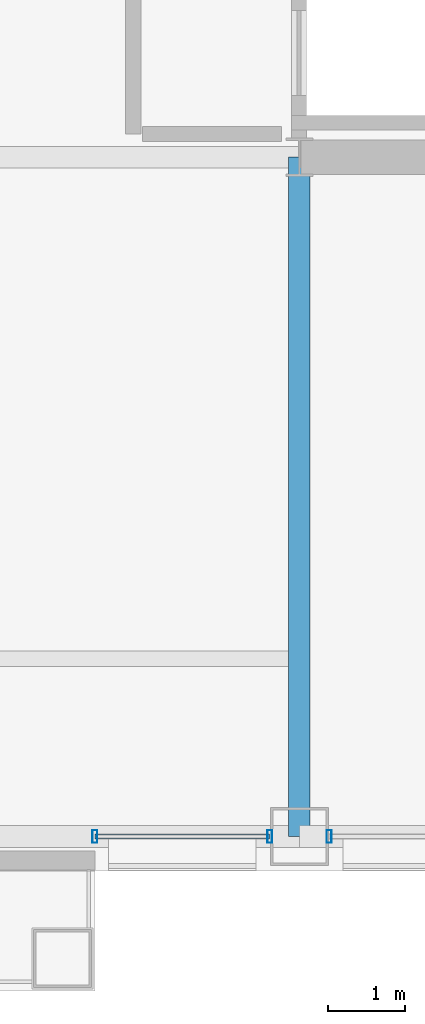
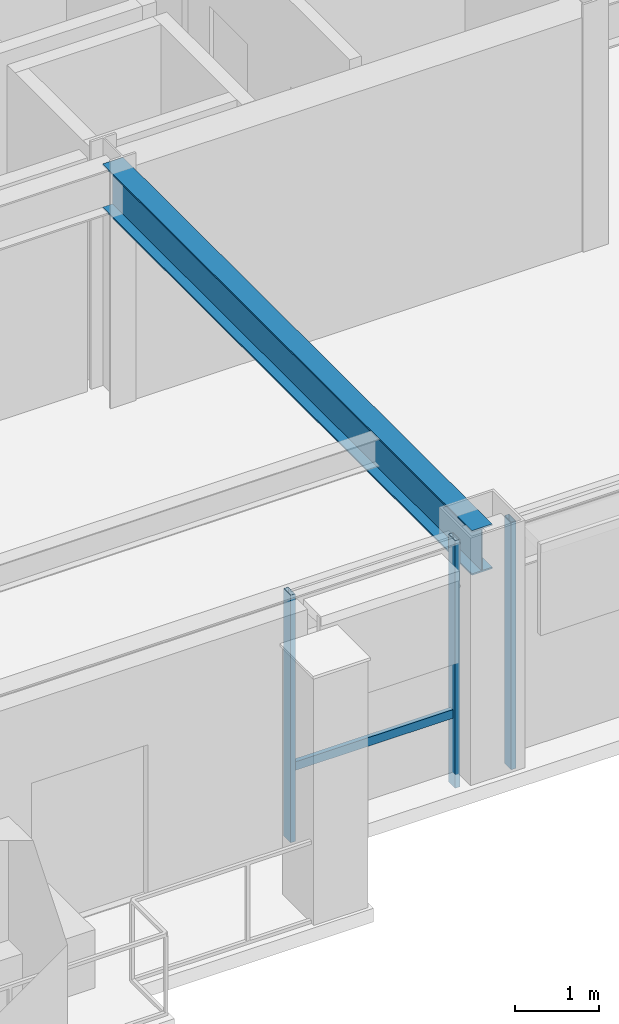
# One storey, part 7 of 30: 4 members, 1 beam, 2 elements without a shape of their own.
"""IFC4 building model written with IfcOpenShell, lengths in metres."""

import ifcopenshell
import ifcopenshell.guid

model = None  # the IFC model being written
_history = None  # IfcOwnerHistory: only IFC2X3 demands one
_inside = {}  # id of a spatial element -> (the spatial element, [elements in it])
_under = {}  # id of a project, library or spatial element -> (it, [spatial elements below it])
_declared = {}  # id of a project -> (the project, [libraries it declares])
_typed = {}  # id of a type object -> (the type object, [elements of that type])
_made_of = {}  # id of a material, layer set ... -> (it, [elements and type objects made of it])


def new_model(schema):
    """Start an empty IFC model of exactly this schema.

    Asked for "IFC4X3", IfcOpenShell would pick the latest addendum, in which some entities
    have other attributes; the version numbers below select the first issue.
    IFC2X3 requires an IfcOwnerHistory on every rooted entity: one is made here for all.
    """
    global model, _history
    if schema == "IFC4X3":
        model = ifcopenshell.file(schema_version=(4, 3, 0, 0))
    else:
        model = ifcopenshell.file(schema=schema)
    _inside.clear()
    _under.clear()
    _declared.clear()
    _typed.clear()
    _made_of.clear()
    _history = None
    if model.schema == "IFC2X3":
        org = make("IfcOrganization", Name="unknown")
        user = make(
            "IfcPersonAndOrganization",
            ThePerson=make("IfcPerson", FamilyName="unknown"),
            TheOrganization=org,
        )
        app = make(
            "IfcApplication",
            ApplicationDeveloper=org,
            Version="unknown",
            ApplicationFullName="unknown",
            ApplicationIdentifier="unknown",
        )
        _history = make(
            "IfcOwnerHistory",
            OwningUser=user,
            OwningApplication=app,
            ChangeAction="ADDED",
            CreationDate=0,
        )
    return model


def make(cls, **values):
    """One entity of the class cls with the attributes given. An attribute that is None is left unset."""
    return model.create_entity(
        cls, **{name: value for name, value in values.items() if value is not None}
    )


def rooted(cls, **values):
    """An entity with a GlobalId (a new one), such as an element, a storey or a relation."""
    return make(cls, GlobalId=ifcopenshell.guid.new(), OwnerHistory=_history, **values)


def si_unit(unit_type, name, prefix=None):
    """IfcSIUnit, for example si_unit("LENGTHUNIT", "METRE", prefix="MILLI")."""
    return make("IfcSIUnit", UnitType=unit_type, Prefix=prefix, Name=name)


def assignment(units):
    """IfcUnitAssignment: the units of a project."""
    return None if units is None else make("IfcUnitAssignment", Units=units)


def point(xyz):
    """IfcCartesianPoint."""
    return None if xyz is None else make("IfcCartesianPoint", Coordinates=xyz)


def direction(xyz):
    """IfcDirection."""
    return None if xyz is None else make("IfcDirection", DirectionRatios=xyz)


def frame(location, z_axis=None, x_axis=None):
    """IfcAxis2Placement3D, a coordinate frame: its origin and axes. An axis left out is left unset."""
    return make(
        "IfcAxis2Placement3D",
        Location=point(location),
        Axis=direction(z_axis),
        RefDirection=direction(x_axis),
    )


def frame_2d(location, x_axis=None):
    """IfcAxis2Placement2D, a coordinate frame in the plane: its origin and x axis."""
    return make(
        "IfcAxis2Placement2D", Location=point(location), RefDirection=direction(x_axis)
    )


def origin():
    """The frame at (0, 0, 0) with its axes left unset."""
    return frame((0.0, 0.0, 0.0))


def origin_2d():
    """The frame at (0, 0) in the plane with its x axis left unset."""
    return frame_2d((0.0, 0.0))


def place(relative_to, where):
    """IfcLocalPlacement: puts the frame where relative to a parent placement (None: the world)."""
    return make(
        "IfcLocalPlacement", PlacementRelTo=relative_to, RelativePlacement=where
    )


def context(
    kind, dimensions, precision=None, world=None, true_north=None, identifier=None
):
    """IfcGeometricRepresentationContext, for example the 3D "Model" context."""
    return make(
        "IfcGeometricRepresentationContext",
        ContextIdentifier=identifier,
        ContextType=kind,
        CoordinateSpaceDimension=dimensions,
        Precision=precision,
        WorldCoordinateSystem=world,
        TrueNorth=true_north,
    )


def subcontext(parent, identifier, kind, view, scale=None):
    """IfcGeometricRepresentationSubContext, for example "Body" below "Model"."""
    return make(
        "IfcGeometricRepresentationSubContext",
        ContextIdentifier=identifier,
        ContextType=kind,
        ParentContext=parent,
        TargetScale=scale,
        TargetView=view,
    )


def project(units=None, contexts=None):
    """IfcProject with its units and contexts."""
    return rooted(
        "IfcProject",
        Name="project",
        RepresentationContexts=contexts,
        UnitsInContext=assignment(units),
    )


def spatial(cls, under=None, at=None, **own):
    """A site, building, storey or space (cls), placed at a placement, below another one or the project."""
    s = rooted(cls, ObjectPlacement=at, **own)
    if under is not None:
        _under.setdefault(under.id(), (under, []))[1].append(s)
    return s


def profile(cls, at=None, kind="AREA", **sizes):
    """A parametric profile (cls). Its sizes go by their IFC names, for example OverallWidth=200.0."""
    return make(cls, ProfileType=kind, Position=at, **sizes)


def hollow_rectangle(**sizes):
    """IfcRectangleHollowProfileDef."""
    return profile("IfcRectangleHollowProfileDef", **sizes)


def i_section(**sizes):
    """IfcIShapeProfileDef."""
    return profile("IfcIShapeProfileDef", **sizes)


def extrude(swept, where, along, depth):
    """IfcExtrudedAreaSolid: the profile swept, set in the frame where, extruded along a direction by depth."""
    return make(
        "IfcExtrudedAreaSolid",
        SweptArea=swept,
        Position=where,
        ExtrudedDirection=direction(along),
        Depth=depth,
    )


def shape(context_of_items, identifier, shape_type, items):
    """IfcShapeRepresentation: the items that make up one representation, for example the "Body"."""
    return make(
        "IfcShapeRepresentation",
        ContextOfItems=context_of_items,
        RepresentationIdentifier=identifier,
        RepresentationType=shape_type,
        Items=items,
    )


def material(Name=None, Category=None):
    """IfcMaterial."""
    return make("IfcMaterial", Name=Name, Category=Category)


def layer(
    of_material, thickness, ventilated=None, Name=None, Category=None, Priority=None
):
    """IfcMaterialLayer: one layer of a wall or slab, of a material (None: an air gap)."""
    return make(
        "IfcMaterialLayer",
        Material=of_material,
        LayerThickness=thickness,
        IsVentilated=ventilated,
        Name=Name,
        Category=Category,
        Priority=Priority,
    )


def layer_set(layers, Name=None):
    """IfcMaterialLayerSet."""
    return make("IfcMaterialLayerSet", MaterialLayers=layers, LayerSetName=Name)


def material_profile(
    of_material, cross_section, Name=None, Category=None, Priority=None
):
    """IfcMaterialProfile: a cross section and its material."""
    return make(
        "IfcMaterialProfile",
        Name=Name,
        Material=of_material,
        Profile=cross_section,
        Priority=Priority,
        Category=Category,
    )


def profile_set(profiles, Name=None, composite=None):
    """IfcMaterialProfileSet."""
    return make(
        "IfcMaterialProfileSet",
        Name=Name,
        MaterialProfiles=profiles,
        CompositeProfile=composite,
    )


def made_of(thing, what):
    """Note that an element or type object is made of a material, layer set ...; save() writes the relation."""
    if what is not None:
        _made_of.setdefault(what.id(), (what, []))[1].append(thing)
    return thing


def type_object(cls, material=None, **own):
    """A type object (cls), such as IfcWallType, which elements share."""
    return made_of(rooted(cls, **own), material)


def element(
    cls,
    number,
    at=None,
    inside=None,
    cuts=None,
    type_object=None,
    material=None,
    context=None,
    identifier="Body",
    shape_type=None,
    held_by="IfcProductDefinitionShape",
    body=None,
    shapes=None,
    **own,
):
    """One element of the class cls, such as IfcWall. Its Tag is "e" and its number.

    at: its placement. inside: the storey or other place that contains it. cuts: it is an
    opening in that element (IfcRelVoidsElement). A single representation is given by context,
    identifier, shape_type and body (its items); several are given by shapes. held_by: the class
    of the entity that holds the representations. save() writes the other relations.
    """
    e = rooted(cls, Tag="e%d" % number, ObjectPlacement=at, **own)
    if body is not None:
        shapes = [shape(context, identifier, shape_type, body)]
    if shapes is not None:
        e.Representation = make(held_by, Representations=shapes)
    if inside is not None:
        _inside.setdefault(inside.id(), (inside, []))[1].append(e)
    if cuts is not None:
        rooted(
            "IfcRelVoidsElement", RelatingBuildingElement=cuts, RelatedOpeningElement=e
        )
    if type_object is not None:
        _typed.setdefault(type_object.id(), (type_object, []))[1].append(e)
    return made_of(e, material)


def aggregate(whole, parts):
    """IfcRelAggregates: a whole, such as a stair, and the parts it consists of."""
    return rooted("IfcRelAggregates", RelatingObject=whole, RelatedObjects=parts)


def save(model, path):
    """Write the relations noted so far, then the file.

    IfcRelAggregates (storeys below a building ...), IfcRelContainedInSpatialStructure (elements
    in a storey), IfcRelDefinesByType, IfcRelAssociatesMaterial and IfcRelDeclares: one each for
    every whole, place, type object, material and project.
    """
    for whole, parts in _under.values():
        aggregate(whole, parts)
    for where, things in _inside.values():
        rooted(
            "IfcRelContainedInSpatialStructure",
            RelatedElements=things,
            RelatingStructure=where,
        )
    for kind, things in _typed.values():
        rooted("IfcRelDefinesByType", RelatedObjects=things, RelatingType=kind)
    for what, things in _made_of.values():
        rooted("IfcRelAssociatesMaterial", RelatedObjects=things, RelatingMaterial=what)
    for by, libraries in _declared.values():
        rooted("IfcRelDeclares", RelatingContext=by, RelatedDefinitions=libraries)
    model.write(path)


model = new_model("IFC4")

# Units and contexts
model_context = context("Model", 3, precision=1e-05, world=origin(), true_north=direction((0.0, 1.0)))
body_context = subcontext(model_context, "Body", "Model", "MODEL_VIEW")
ifc_project = project(units=[si_unit("LENGTHUNIT", "METRE"), si_unit("AREAUNIT", "SQUARE_METRE"), si_unit("VOLUMEUNIT", "CUBIC_METRE"), si_unit("PLANEANGLEUNIT", "RADIAN"), si_unit("MASSUNIT", "GRAM", prefix="KILO")], contexts=[model_context])

# Site, building, storey
site_placement = place(None, origin())
site = spatial("IfcSite", under=ifc_project, at=site_placement, CompositionType="ELEMENT")
building_placement = place(site_placement, origin())
building = spatial("IfcBuilding", under=site, at=building_placement, Name="Brelmoor Portico Tower", CompositionType="ELEMENT")
storey_placement = place(building_placement, frame((0.0, 0.0, 169.5)))
storey = spatial("IfcBuildingStorey", under=building, at=storey_placement, Name="L44", CompositionType="ELEMENT", Elevation=169.5)

# Beam
ifc_material_1 = material(Name="Steel Q355B", Category="steel")
ifc_material_profile_1 = material_profile(ifc_material_1, i_section(OverallWidth=0.280029296875, OverallDepth=0.64990234375, WebThickness=0.012939453125, FlangeThickness=0.02197265625, at=origin_2d()), Name="HN 650x280x13x22")
ifc_profile_set_1 = profile_set([ifc_material_profile_1], Name="Steel Q355B")
beam_type = type_object("IfcBeamType", Name="BM-PG-650", PredefinedType="BEAM", material=ifc_profile_set_1)
beam_placement = place(storey_placement, frame((8.050048828125, -18.550048828125, 3.074951171875), z_axis=(0.0, 1.0, 0.0), x_axis=(-1.0, 0.0, 0.0)))
element("IfcBeam", 1, at=beam_placement, inside=storey, type_object=beam_type, Name="L44 Primary Floor Girder PG-06", PredefinedType="BEAM", context=body_context, shape_type="SweptSolid", body=[
    extrude(i_section(OverallWidth=0.280029296875, OverallDepth=0.64990234375, WebThickness=0.012939453125, FlangeThickness=0.02197265625, at=origin_2d()), origin(), (0.0, 0.0, 1.0), 8.800048828125),
])

# Curtain wall, members
ifc_material_2 = material(Name="Anodised Aluminium Alloy 6063-T6", Category="aluminium")
ifc_layer_1 = layer(ifc_material_2, 0.179931640625)
ifc_layer_set_1 = layer_set([ifc_layer_1], Name="Anodised Aluminium Alloy 6063-T6")
curtain_wall_type_1 = type_object("IfcCurtainWallType", Name="CW-TOWER-Z3", PredefinedType="NOTDEFINED", material=ifc_layer_set_1)
curtain_wall_1_placement = place(storey_placement, origin())
curtain_wall_1 = element("IfcCurtainWall", 2, at=curtain_wall_1_placement, inside=storey, type_object=curtain_wall_type_1, Name="L44 Curtain Wall CW-L44-1R-1", PredefinedType="NOTDEFINED")
ifc_material_profile_2 = material_profile(ifc_material_2, hollow_rectangle(XDim=0.06494140625, YDim=0.1650390625, WallThickness=0.00390625, at=origin_2d()), Name="ALU MULLION 65x165")
ifc_profile_set_2 = profile_set([ifc_material_profile_2], Name="Anodised Aluminium Alloy 6063-T6")
member_type_1 = type_object("IfcMemberType", Name="MB-CW-MULL-165", PredefinedType="MULLION", material=ifc_profile_set_2)
member_1_placement = place(storey_placement, frame((5.39990234375, -18.550048828125, -0.199951171875), z_axis=(0.0, 0.0, 1.0), x_axis=(1.0, 0.0, 0.0)))
member_1 = element("IfcMember", 3, at=member_1_placement, type_object=member_type_1, Name="CW-L44-1R-1 Mullion 00", PredefinedType="MULLION", context=body_context, shape_type="SweptSolid", body=[
    extrude(hollow_rectangle(XDim=0.06494140625, YDim=0.1650390625, WallThickness=0.00390625, at=origin_2d()), origin(), (0.0, 0.0, 1.0), 3.599853515625),
])
member_2_placement = place(storey_placement, frame((7.6650390625, -18.550048828125, -0.199951171875), z_axis=(0.0, 0.0, 1.0), x_axis=(1.0, 0.0, 0.0)))
member_2 = element("IfcMember", 4, at=member_2_placement, type_object=member_type_1, Name="CW-L44-1R-1 Mullion 01", PredefinedType="MULLION", context=body_context, shape_type="SweptSolid", body=[
    extrude(hollow_rectangle(XDim=0.06494140625, YDim=0.1650390625, WallThickness=0.00390625, at=origin_2d()), origin(), (0.0, 0.0, 1.0), 3.599853515625),
])

# Curtain wall, member
ifc_layer_2 = layer(ifc_material_2, 0.179931640625)
ifc_layer_set_2 = layer_set([ifc_layer_2], Name="Anodised Aluminium Alloy 6063-T6")
curtain_wall_type_2 = type_object("IfcCurtainWallType", Name="CW-TOWER-Z3-XB", PredefinedType="NOTDEFINED", material=ifc_layer_set_2)
curtain_wall_2_placement = place(storey_placement, origin())
curtain_wall_2 = element("IfcCurtainWall", 5, at=curtain_wall_2_placement, inside=storey, type_object=curtain_wall_type_2, Name="L44 Curtain Wall CW-L44-1R-2", PredefinedType="NOTDEFINED")
member_3_placement = place(storey_placement, frame((8.43505859375, -18.550048828125, -0.199951171875), z_axis=(0.0, 0.0, 1.0), x_axis=(1.0, 0.0, 0.0)))
member_3 = element("IfcMember", 6, at=member_3_placement, type_object=member_type_1, Name="CW-L44-1R-2 Mullion 00", PredefinedType="MULLION", context=body_context, shape_type="SweptSolid", body=[
    extrude(hollow_rectangle(XDim=0.06494140625, YDim=0.1650390625, WallThickness=0.00390625, at=origin_2d()), origin(), (0.0, 0.0, 1.0), 3.599853515625),
])
aggregate(curtain_wall_2, [member_3])

# Member
ifc_material_profile_3 = material_profile(ifc_material_2, hollow_rectangle(XDim=0.06005859375, YDim=0.125, WallThickness=0.00341796875, at=origin_2d()), Name="ALU TRANSOM 60x125")
ifc_profile_set_3 = profile_set([ifc_material_profile_3], Name="Anodised Aluminium Alloy 6063-T6")
member_type_2 = type_object("IfcMemberType", Name="MB-CW-TRAN-125", PredefinedType="USERDEFINED", material=ifc_profile_set_3)
member_4_placement = place(storey_placement, frame((5.39990234375, -18.550048828125, 0.85009765625), z_axis=(1.0, 0.0, 0.0), x_axis=(0.0, 1.0, 0.0)))
member_4 = element("IfcMember", 7, at=member_4_placement, type_object=member_type_2, Name="CW-L44-1R-1 Transom 1-00", ObjectType="TRANSOM", PredefinedType="USERDEFINED", context=body_context, shape_type="SweptSolid", body=[
    extrude(hollow_rectangle(XDim=0.06005859375, YDim=0.125, WallThickness=0.00341796875, at=origin_2d()), origin(), (0.0, 0.0, 1.0), 2.26513671875),
])

aggregate(curtain_wall_1, [member_1, member_2, member_4])

save(model, "model.ifc")
